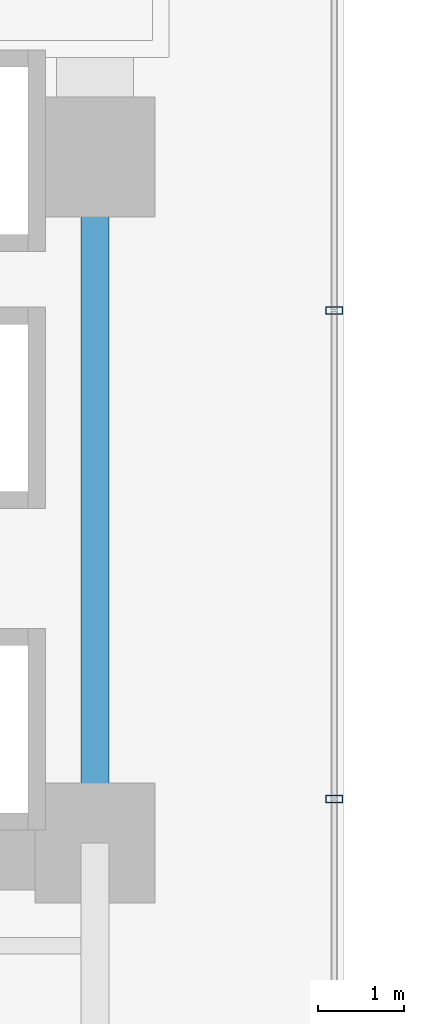
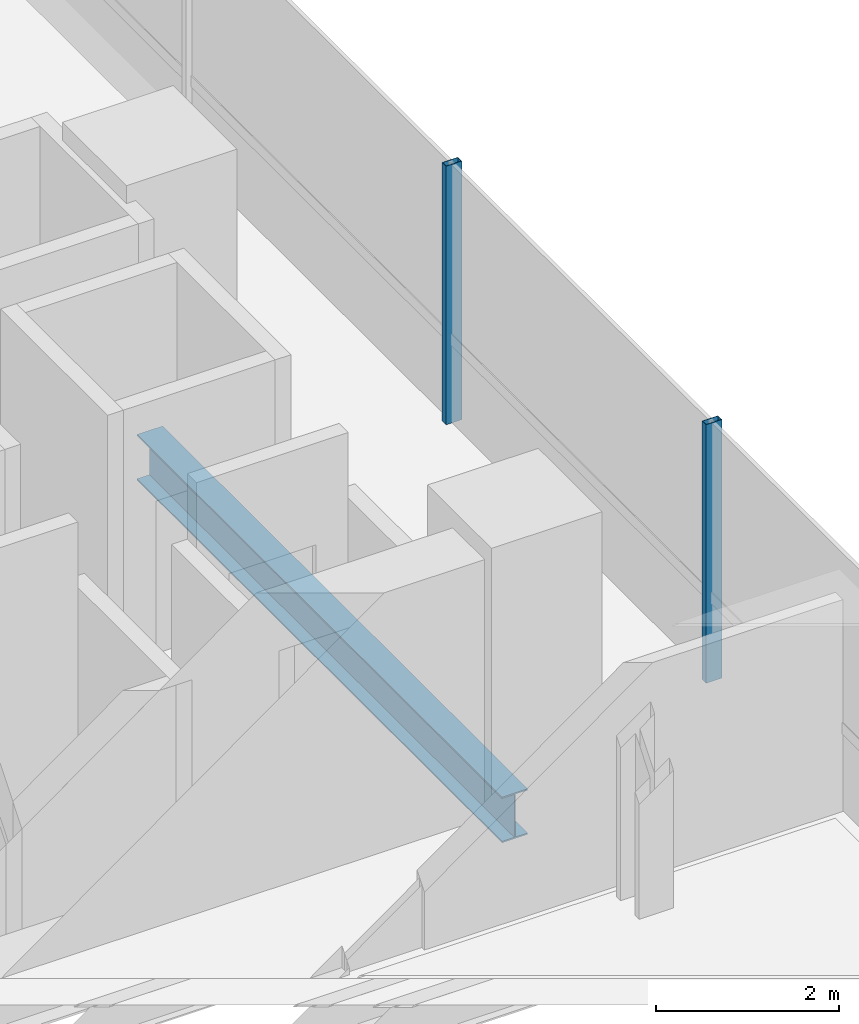
# One storey, part 6 of 42: 2 members, 1 beam, 1 element without a shape of its own.
"""IFC4 building model written with IfcOpenShell, lengths in metres."""

from ifc_helpers import new_model, si_unit, direction, frame, origin, origin_2d, place, context, subcontext, project, spatial, hollow_rectangle, i_section, extrude, source, transform, mapped, material, material_profile, profile_set, type_object, element, aggregate, save


model = new_model("IFC4")

# Units and contexts
model_context = context("Model", 3, precision=1e-05, world=origin(), true_north=direction((0.0, 1.0)))
body_context = subcontext(model_context, "Body", "Model", "MODEL_VIEW")
ifc_project = project(units=[si_unit("LENGTHUNIT", "METRE"), si_unit("AREAUNIT", "SQUARE_METRE"), si_unit("VOLUMEUNIT", "CUBIC_METRE"), si_unit("PLANEANGLEUNIT", "RADIAN"), si_unit("MASSUNIT", "GRAM", prefix="KILO")], contexts=[model_context])

# Site, building, storey
site_placement = place(None, origin())
site = spatial("IfcSite", under=ifc_project, at=site_placement, CompositionType="ELEMENT")
building_placement = place(site_placement, origin())
building = spatial("IfcBuilding", under=site, at=building_placement, Name="Valdorenza Pilgrim Sanctuary Tower", CompositionType="ELEMENT")
storey_placement = place(building_placement, frame((0.0, 0.0, 29.699951171875)))
storey = spatial("IfcBuildingStorey", under=building, at=storey_placement, Name="L06", CompositionType="ELEMENT", Elevation=29.699951171875)

# Beam
ifc_material_1 = material(Name="Steel ASTM A992 Grade 50", Category="steel")
ifc_material_profile_1 = material_profile(ifc_material_1, i_section(OverallWidth=0.323974609375, OverallDepth=0.611083984375, WebThickness=0.0126953125, FlangeThickness=0.01904296875, at=origin_2d()), Name="W24X104")
ifc_profile_set_1 = profile_set([ifc_material_profile_1], Name="Steel ASTM A992 Grade 50")
beam_type = type_object("IfcBeamType", Name="STR-BM-GRD-W24B", PredefinedType="BEAM", material=ifc_profile_set_1)
shared_shape_1 = source(origin(), body_context, "Body", "SweptSolid", [
    extrude(i_section(OverallWidth=0.323974609375, OverallDepth=0.611083984375, WebThickness=0.0126953125, FlangeThickness=0.01904296875, at=origin_2d()), origin(), (0.0, 0.0, 1.0), 8.0),
])
beam_placement = place(storey_placement, frame((-12.39990234375, -10.60009765625, -0.54541015625), z_axis=(0.0, 1.0, 0.0), x_axis=(-1.0, 0.0, 0.0)))
element("IfcBeam", 1, at=beam_placement, inside=storey, type_object=beam_type, Name="L06 Core Tie Girder CA-E-S1M0", PredefinedType="BEAM", context=body_context, shape_type="MappedRepresentation", body=[
    mapped(shared_shape_1, transform((0.0, 0.0, 0.0), x_axis=(1.0, 0.0, 0.0), y_axis=(0.0, 1.0, 0.0), z_axis=(0.0, 0.0, 1.0), scale=1.0)),
])

# Curtain wall, members
ifc_material_2 = material(Name="Curtain-wall IGU glazing", Category="glass")
curtain_wall_type = type_object("IfcCurtainWallType", Name="CW-SYS-02", PredefinedType="NOTDEFINED", material=ifc_material_2)
curtain_wall_placement = place(storey_placement, origin())
curtain_wall = element("IfcCurtainWall", 2, at=curtain_wall_placement, inside=storey, type_object=curtain_wall_type, Name="L06 Curtain Wall CW-L06-1-41", PredefinedType="NOTDEFINED")
ifc_material_3 = material(Name="Anodised aluminium AW-6060", Category="aluminium")
ifc_material_profile_2 = material_profile(ifc_material_3, hollow_rectangle(XDim=0.0849609375, YDim=0.199951171875, WallThickness=0.0048828125, at=origin_2d()), Name="ALU-M 200x85x5")
ifc_profile_set_2 = profile_set([ifc_material_profile_2], Name="Anodised aluminium AW-6060")
member_type = type_object("IfcMemberType", Name="CW-MUL-02", PredefinedType="MULLION", material=ifc_profile_set_2)
shared_shape_2 = source(origin(), body_context, "Body", "SweptSolid", [
    extrude(hollow_rectangle(XDim=0.0849609375, YDim=0.199951171875, WallThickness=0.0048828125, at=origin_2d()), origin(), (0.0, 0.0, 1.0), 3.4599609375),
])
member_1_placement = place(storey_placement, frame((-9.610107421875, -4.38916015625, 0.0), z_axis=(0.0, 0.0, 1.0), x_axis=(0.0, -1.0, 0.0)))
member_1 = element("IfcMember", 3, at=member_1_placement, type_object=member_type, Name="CW-L06-1-41 Mullion 3", PredefinedType="MULLION", context=body_context, shape_type="MappedRepresentation", body=[
    mapped(shared_shape_2, transform((0.0, 0.0, 0.0), x_axis=(1.0, 0.0, 0.0), y_axis=(0.0, 1.0, 0.0), z_axis=(0.0, 0.0, 1.0), scale=1.0)),
])
member_2_placement = place(storey_placement, frame((-9.610107421875, -10.089111328125, 0.0), z_axis=(0.0, 0.0, 1.0), x_axis=(0.0, -1.0, 0.0)))
member_2 = element("IfcMember", 4, at=member_2_placement, type_object=member_type, Name="CW-L06-1-41 Mullion 4", PredefinedType="MULLION", context=body_context, shape_type="MappedRepresentation", body=[
    mapped(shared_shape_2, transform((0.0, 0.0, 0.0), x_axis=(1.0, 0.0, 0.0), y_axis=(0.0, 1.0, 0.0), z_axis=(0.0, 0.0, 1.0), scale=1.0)),
])
aggregate(curtain_wall, [member_1, member_2])

save(model, "model.ifc")
